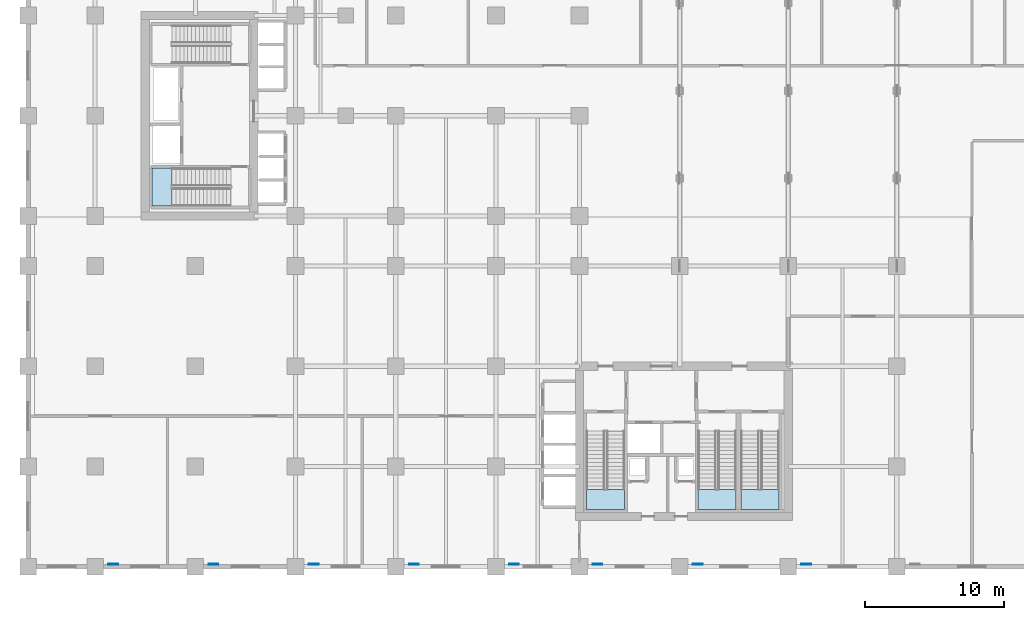
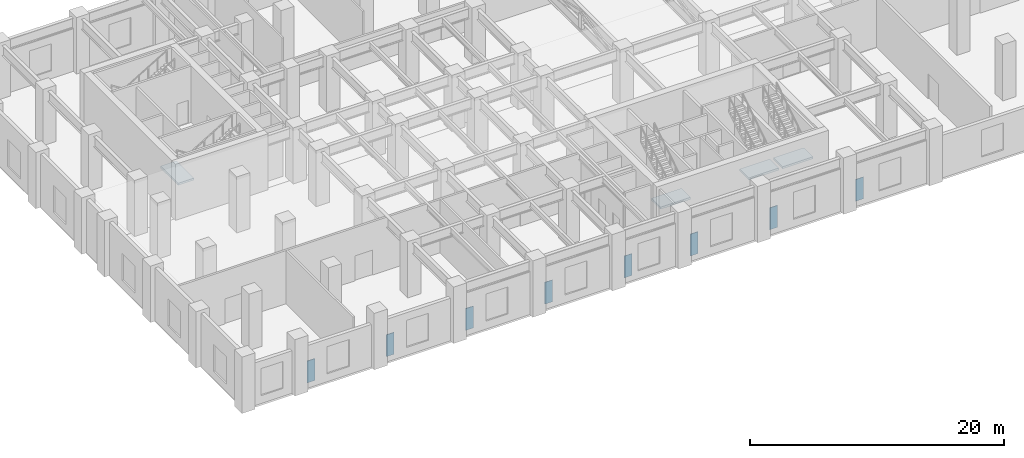
# One storey, part 4 of 19: 8 plates, 4 slabs, 4 elements without a shape of their own.
"""IFC4 building model written with IfcOpenShell, lengths in metres."""

from ifc_helpers import new_model, si_unit, derived_unit, direction, frame, origin, origin_2d, place, context, subcontext, project, spatial, polyline, rectangle, outline, extrude, source, transform, mapped, material, layer, layer_set, type_object, type_shapes, element, aggregate, save


model = new_model("IFC4")

# Units and contexts
model_context = context("Model", 3, precision=1e-05, world=origin(), true_north=direction((0.0, 1.0)))
body_context = subcontext(model_context, "Body", "Model", "MODEL_VIEW")
ifc_project = project(units=[si_unit("LENGTHUNIT", "METRE"), si_unit("AREAUNIT", "SQUARE_METRE"), si_unit("VOLUMEUNIT", "CUBIC_METRE"), si_unit("PLANEANGLEUNIT", "RADIAN"), si_unit("MASSUNIT", "GRAM", prefix="KILO"), si_unit("THERMODYNAMICTEMPERATUREUNIT", "KELVIN"), si_unit("POWERUNIT", "WATT"), derived_unit("THERMALTRANSMITTANCEUNIT", [(si_unit("POWERUNIT", "WATT"), 1), (si_unit("AREAUNIT", "SQUARE_METRE"), -1), (si_unit("THERMODYNAMICTEMPERATUREUNIT", "KELVIN"), -1)])], contexts=[model_context])

# Site, building, storey
site_placement = place(None, origin())
site = spatial("IfcSite", under=ifc_project, at=site_placement, CompositionType="ELEMENT")
building_placement = place(site_placement, origin())
building = spatial("IfcBuilding", under=site, at=building_placement, Name="Zahravan Archway Hotel and Residences", CompositionType="ELEMENT")
storey_placement = place(building_placement, frame((0.0, 0.0, 21.60009765625)))
storey = spatial("IfcBuildingStorey", under=building, at=storey_placement, Name="L04", CompositionType="ELEMENT", Elevation=21.60009765625)

# Stair, slab
ifc_material_1 = material(Name="Concrete C50/60", Category="concrete")
stair_type = type_object("IfcStairType", Name="STR-CORE-1300", PredefinedType="HALF_TURN_STAIR", material=ifc_material_1)
stair_1_placement = place(storey_placement, origin())
stair_1 = element("IfcStair", 1, at=stair_1_placement, inside=storey, type_object=stair_type, Name="L04 Core A Exit Stair 1", PredefinedType="HALF_TURN_STAIR")
ifc_layer_1 = layer(ifc_material_1, 0.199951171875, Name="Concrete C50/60", Category="concrete")
ifc_layer_set_1 = layer_set([ifc_layer_1], Name="Concrete C50/60")
slab_type = type_object("IfcSlabType", Name="SLB-LND-200", PredefinedType="LANDING", material=ifc_layer_set_1)
slab_1_placement = place(storey_placement, frame((0.0, 0.0, 2.5)))
slab_1 = element("IfcSlab", 2, at=slab_1_placement, type_object=slab_type, Name="ST-A1 landing 1", PredefinedType="LANDING", context=body_context, shape_type="SweptSolid", body=[
    extrude(outline(polyline([(35.300048828125, 5.530029296875), (35.300048828125, 4.10009765625), (38.0400390625, 4.10009765625), (38.0400390625, 5.530029296875), (35.300048828125, 5.530029296875)])), origin(), (0.0, 0.0, 1.0), 0.199951171875),
])
aggregate(stair_1, [slab_1])

stair_2_placement = place(storey_placement, origin())
stair_2 = element("IfcStair", 3, at=stair_2_placement, inside=storey, type_object=stair_type, Name="L04 Core A Exit Stair 2", PredefinedType="HALF_TURN_STAIR")
slab_2_placement = place(storey_placement, frame((0.0, 0.0, 2.5)))
slab_2 = element("IfcSlab", 4, at=slab_2_placement, type_object=slab_type, Name="ST-A2 landing 1", PredefinedType="LANDING", context=body_context, shape_type="SweptSolid", body=[
    extrude(outline(polyline([(43.320068359375, 5.530029296875), (43.320068359375, 4.10009765625), (46.06005859375, 4.10009765625), (46.06005859375, 5.530029296875), (43.320068359375, 5.530029296875)])), origin(), (0.0, 0.0, 1.0), 0.199951171875),
])
aggregate(stair_2, [slab_2])

stair_3_placement = place(storey_placement, origin())
stair_3 = element("IfcStair", 5, at=stair_3_placement, inside=storey, type_object=stair_type, Name="L04 Core A Exit Stair 3", PredefinedType="HALF_TURN_STAIR")
slab_3_placement = place(storey_placement, frame((0.0, 0.0, 2.5)))
slab_3 = element("IfcSlab", 6, at=slab_3_placement, type_object=slab_type, Name="ST-A3 landing 1", PredefinedType="LANDING", context=body_context, shape_type="SweptSolid", body=[
    extrude(outline(polyline([(46.39990234375, 5.530029296875), (46.39990234375, 4.10009765625), (49.139892578125, 4.10009765625), (49.139892578125, 5.530029296875), (46.39990234375, 5.530029296875)])), origin(), (0.0, 0.0, 1.0), 0.199951171875),
])
aggregate(stair_3, [slab_3])

stair_4_placement = place(storey_placement, origin())
stair_4 = element("IfcStair", 7, at=stair_4_placement, inside=storey, type_object=stair_type, Name="L04 Core B Exit Stair 1", PredefinedType="HALF_TURN_STAIR")
slab_4_placement = place(storey_placement, frame((0.0, 0.0, 2.5)))
slab_4 = element("IfcSlab", 8, at=slab_4_placement, type_object=slab_type, Name="ST-B1 landing 1", PredefinedType="LANDING", context=body_context, shape_type="SweptSolid", body=[
    extrude(outline(polyline([(5.530029296875, 28.639892578125), (4.10009765625, 28.639892578125), (4.10009765625, 25.89990234375), (5.530029296875, 25.89990234375), (5.530029296875, 28.639892578125)])), origin(), (0.0, 0.0, 1.0), 0.199951171875),
])
aggregate(stair_4, [slab_4])

# Plates
ifc_material_2 = material(Name="Perforated Cast Bronze Jali Lattice")
ifc_layer_2 = layer(ifc_material_2, 0.044921875, Name="Perforated Cast Bronze Jali Lattice")
ifc_layer_set_2 = layer_set([ifc_layer_2], Name="Perforated Cast Bronze Jali Lattice")
plate_type = type_object("IfcPlateType", Name="PLT-JALI-BAY", PredefinedType="USERDEFINED", material=ifc_layer_set_2)
shared_shape = source(origin(), body_context, "Body", "SweptSolid", [
    extrude(rectangle(XDim=0.699951171875, YDim=0.044921875, at=origin_2d()), origin(), (0.0, 0.0, 1.0), 2.10009765625),
])
type_shapes(plate_type, [shared_shape])
for number, where, z_axis, x_axis, name in (
    (9, (1.300048828125, 0.177978515625, 0.249755859375), (0.0, 0.0, 1.0), (1.0, 0.0, 0.0), "L04 Podium Mughal Jali Pier Screen 01"),
    (10, (8.5, 0.177978515625, 0.249755859375), (0.0, 0.0, 1.0), (1.0, 0.0, 0.0), "L04 Podium Mughal Jali Pier Screen 02"),
    (11, (15.699951171875, 0.177978515625, 0.249755859375), (0.0, 0.0, 1.0), (1.0, 0.0, 0.0), "L04 Podium Mughal Jali Pier Screen 03"),
    (12, (22.89990234375, 0.177978515625, 0.249755859375), (0.0, 0.0, 1.0), (1.0, 0.0, 0.0), "L04 Podium Mughal Jali Pier Screen 04"),
    (13, (30.10009765625, 0.177978515625, 0.249755859375), (0.0, 0.0, 1.0), (1.0, 0.0, 0.0), "L04 Podium Mughal Jali Pier Screen 05"),
    (14, (36.10009765625, 0.177978515625, 0.249755859375), (0.0, 0.0, 1.0), (1.0, 0.0, 0.0), "L04 Podium Mughal Jali Pier Screen 06"),
    (15, (43.300048828125, 0.177978515625, 0.249755859375), (0.0, 0.0, 1.0), (1.0, 0.0, 0.0), "L04 Podium Mughal Jali Pier Screen 07"),
    (16, (51.10009765625, 0.177978515625, 0.249755859375), (0.0, 0.0, 1.0), (1.0, 0.0, 0.0), "L04 Podium Mughal Jali Pier Screen 08"),
):
    element("IfcPlate", number, at=place(storey_placement, frame(where, z_axis=z_axis, x_axis=x_axis)), inside=storey, type_object=plate_type, Name=name, ObjectType="SCREEN", PredefinedType="USERDEFINED", context=body_context, shape_type="MappedRepresentation", body=[
        mapped(shared_shape, transform((0.0, 0.0, 0.0), scale=1.0)),
    ])

save(model, "model.ifc")
